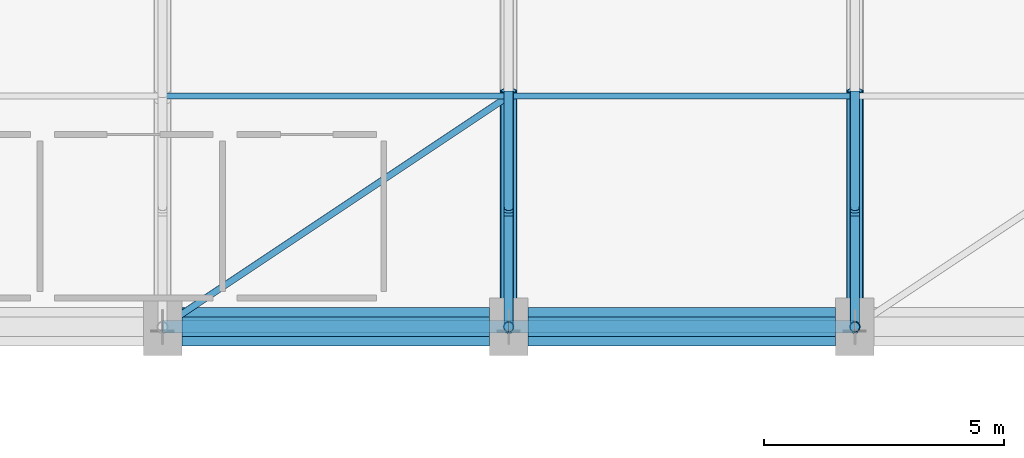
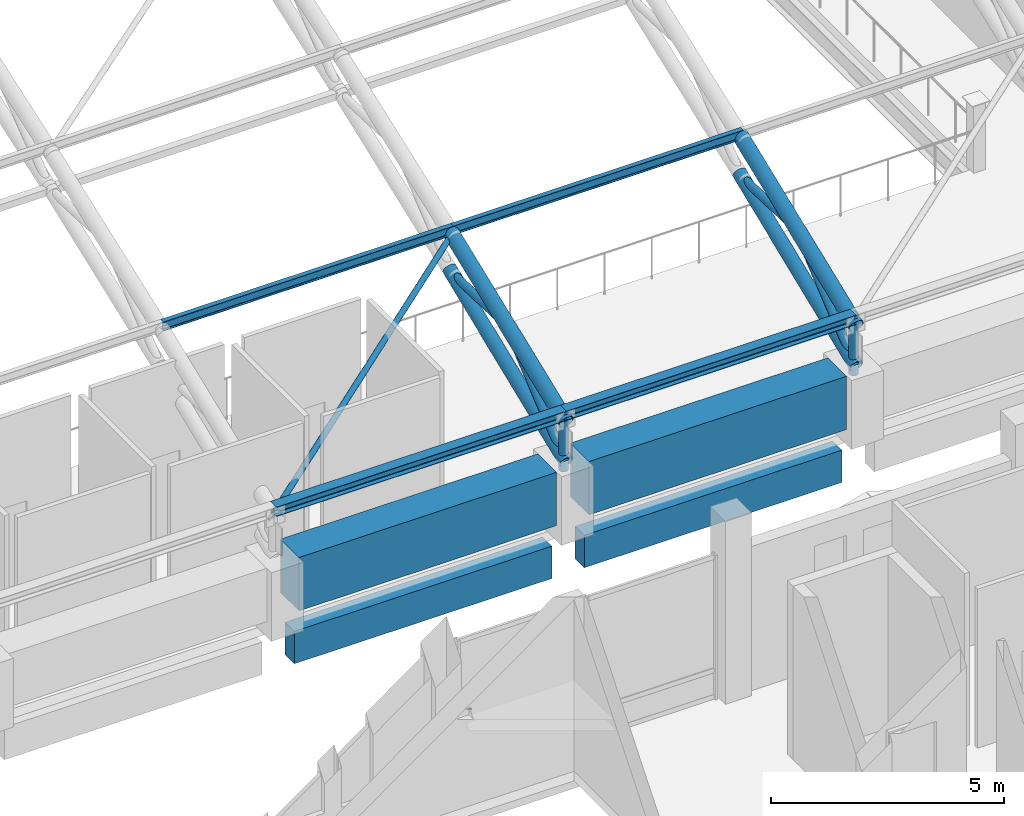
# One storey, part 35 of 116: 15 members, 4 beams.
"""IFC4 building model written with IfcOpenShell, lengths in metres."""

from ifc_helpers import new_model, si_unit, direction, frame, origin, origin_2d, place, context, subcontext, project, spatial, rectangle, hollow_circle, i_section, extrude, material, material_profile, profile_set, type_object, element, save


model = new_model("IFC4")

# Units and contexts
model_context = context("Model", 3, precision=1e-05, world=origin(), true_north=direction((0.0, 1.0)))
body_context = subcontext(model_context, "Body", "Model", "MODEL_VIEW")
ifc_project = project(units=[si_unit("LENGTHUNIT", "METRE"), si_unit("AREAUNIT", "SQUARE_METRE"), si_unit("VOLUMEUNIT", "CUBIC_METRE"), si_unit("PLANEANGLEUNIT", "RADIAN"), si_unit("MASSUNIT", "GRAM", prefix="KILO")], contexts=[model_context])

# Site, building, storey
site_placement = place(None, origin())
site = spatial("IfcSite", under=ifc_project, at=site_placement, CompositionType="ELEMENT")
building_placement = place(site_placement, origin())
building = spatial("IfcBuilding", under=site, at=building_placement, Name="Cendralis Lancet Convention Centre", CompositionType="ELEMENT")
storey_placement = place(building_placement, frame((0.0, 0.0, 15.0)))
storey = spatial("IfcBuildingStorey", under=building, at=storey_placement, Name="L03", CompositionType="ELEMENT", Elevation=15.0)

# Beams
ifc_material_1 = material(Name="Concrete G40 (C40/50)", Category="concrete")
ifc_material_profile_1 = material_profile(ifc_material_1, rectangle(XDim=0.800048828125, YDim=1.39990234375, at=origin_2d()), Name="RCB 800x1400")
ifc_profile_set_1 = profile_set([ifc_material_profile_1], Name="Concrete G40 (C40/50)")
beam_type_1 = type_object("IfcBeamType", Name="STR-BM-BG17", PredefinedType="BEAM", material=ifc_profile_set_1)
for number, where, z_axis, x_axis, name in (
    (1, (175.60009765625, 43.199951171875, 1.10009765625), (1.0, 0.0, 0.0), (0.0, 1.0, 0.0), "L03 Beam BG17 #1564"),
    (2, (182.800048828125, 43.199951171875, 1.10009765625), (1.0, 0.0, 0.0), (0.0, 1.0, 0.0), "L03 Beam BG17 #1565"),
):
    element("IfcBeam", number, at=place(storey_placement, frame(where, z_axis=z_axis, x_axis=x_axis)), inside=storey, type_object=beam_type_1, Name=name, PredefinedType="BEAM", context=body_context, shape_type="SweptSolid", body=[
        extrude(rectangle(XDim=0.800048828125, YDim=1.39990234375, at=origin_2d()), origin(), (0.0, 0.0, 1.0), 6.39990234375),
    ])

# Members
ifc_material_2 = material(Name="Steel S355", Category="steel")
ifc_material_profile_2 = material_profile(ifc_material_2, hollow_circle(Radius=0.06982421875, WallThickness=0.00634765625, at=origin_2d()), Name="CHS 139.7x6.3")
ifc_profile_set_2 = profile_set([ifc_material_profile_2], Name="Steel S355")
member_type_1 = type_object("IfcMemberType", Name="STR-BR-RB02", PredefinedType="BRACE", material=ifc_profile_set_2)
member_1_placement = place(storey_placement, frame((175.199951171875, 43.199951171875, 2.85009765625), z_axis=(0.812601866984, 0.541743762733, 0.214923012528), x_axis=(-0.554706707029, 0.832045953765, 0.0)))
element("IfcMember", 3, at=member_1_placement, inside=storey, type_object=member_type_1, Name="Roof Diaphragm Brace RB02 V2-05-00A", PredefinedType="BRACE", context=body_context, shape_type="SweptSolid", body=[
    extrude(hollow_circle(Radius=0.06982421875, WallThickness=0.00634765625, at=origin_2d()), origin(), (0.0, 0.0, 1.0), 8.8603515625),
])
ifc_material_profile_3 = material_profile(ifc_material_2, i_section(OverallWidth=0.1201171875, OverallDepth=0.239990234375, WebThickness=0.006103515625, FlangeThickness=0.009765625, FilletRadius=0.014892578125, at=origin_2d()), Name="IPE 240")
ifc_profile_set_3 = profile_set([ifc_material_profile_3], Name="Steel S355")
member_type_2 = type_object("IfcMemberType", Name="STR-PR-PR02", PredefinedType="PURLIN", material=ifc_profile_set_3)
member_2_placement = place(storey_placement, frame((175.199951171875, 48.0, 4.884521484375), z_axis=(1.0, 0.0, 0.0), x_axis=(0.0, 1.0, 0.0)))
element("IfcMember", 4, at=member_2_placement, inside=storey, type_object=member_type_2, Name="Vault Roof Purlin PR02 V2-05-01", PredefinedType="PURLIN", context=body_context, shape_type="SweptSolid", body=[
    extrude(i_section(OverallWidth=0.1201171875, OverallDepth=0.239990234375, WebThickness=0.006103515625, FlangeThickness=0.009765625, FilletRadius=0.014892578125, at=origin_2d()), origin(), (0.0, 0.0, 1.0), 7.199951171875),
])
member_3_placement = place(storey_placement, frame((182.39990234375, 48.0, 4.884521484375), z_axis=(1.0, 0.0, 0.0), x_axis=(0.0, 1.0, 0.0)))
element("IfcMember", 5, at=member_3_placement, inside=storey, type_object=member_type_2, Name="Vault Roof Purlin PR02 V2-06-01", PredefinedType="PURLIN", context=body_context, shape_type="SweptSolid", body=[
    extrude(i_section(OverallWidth=0.1201171875, OverallDepth=0.239990234375, WebThickness=0.006103515625, FlangeThickness=0.009765625, FilletRadius=0.014892578125, at=origin_2d()), origin(), (0.0, 0.0, 1.0), 7.2001953125),
])
ifc_material_profile_4 = material_profile(ifc_material_2, i_section(OverallWidth=0.260009765625, OverallDepth=0.25, WebThickness=0.007568359375, FlangeThickness=0.012451171875, FilletRadius=0.02392578125, at=origin_2d()), Name="HEA 260")
ifc_profile_set_4 = profile_set([ifc_material_profile_4], Name="Steel S355")
member_type_3 = type_object("IfcMemberType", Name="STR-PR-PR07", PredefinedType="PURLIN", material=ifc_profile_set_4)
member_4_placement = place(storey_placement, frame((175.199951171875, 43.199951171875, 2.97509765625), z_axis=(1.0, 0.0, 0.0), x_axis=(0.0, 1.0, 0.0)))
element("IfcMember", 6, at=member_4_placement, inside=storey, type_object=member_type_3, Name="Vault Roof Purlin PR07 V2-05-00", PredefinedType="PURLIN", context=body_context, shape_type="SweptSolid", body=[
    extrude(i_section(OverallWidth=0.260009765625, OverallDepth=0.25, WebThickness=0.007568359375, FlangeThickness=0.012451171875, FilletRadius=0.02392578125, at=origin_2d()), origin(), (0.0, 0.0, 1.0), 7.199951171875),
])
member_5_placement = place(storey_placement, frame((182.39990234375, 43.199951171875, 2.97509765625), z_axis=(1.0, 0.0, 0.0), x_axis=(0.0, 1.0, 0.0)))
element("IfcMember", 7, at=member_5_placement, inside=storey, type_object=member_type_3, Name="Vault Roof Purlin PR07 V2-06-00", PredefinedType="PURLIN", context=body_context, shape_type="SweptSolid", body=[
    extrude(i_section(OverallWidth=0.260009765625, OverallDepth=0.25, WebThickness=0.007568359375, FlangeThickness=0.012451171875, FilletRadius=0.02392578125, at=origin_2d()), origin(), (0.0, 0.0, 1.0), 7.2001953125),
])

# Beams
ifc_material_profile_5 = material_profile(ifc_material_1, rectangle(XDim=0.39990234375, YDim=0.85009765625, at=origin_2d()), Name="RCB 400x850")
ifc_profile_set_5 = profile_set([ifc_material_profile_5], Name="Concrete G40 (C40/50)")
beam_type_2 = type_object("IfcBeamType", Name="STR-SP-SP02", PredefinedType="SPANDREL", material=ifc_profile_set_5)
for number, where, z_axis, x_axis, name in (
    (8, (175.60009765625, 43.199951171875, -0.68505859375), (1.0, 0.0, 0.0), (0.0, 1.0, 0.0), "L03 Beam SP02 #1509"),
    (9, (182.800048828125, 43.199951171875, -0.68505859375), (1.0, 0.0, 0.0), (0.0, 1.0, 0.0), "L03 Beam SP02 #1510"),
):
    element("IfcBeam", number, at=place(storey_placement, frame(where, z_axis=z_axis, x_axis=x_axis)), inside=storey, type_object=beam_type_2, Name=name, PredefinedType="SPANDREL", context=body_context, shape_type="SweptSolid", body=[
        extrude(rectangle(XDim=0.39990234375, YDim=0.85009765625, at=origin_2d()), origin(), (0.0, 0.0, 1.0), 6.39990234375),
    ])

# Members
ifc_material_profile_6 = material_profile(ifc_material_2, hollow_circle(Radius=0.161865234375, WallThickness=0.01416015625, at=origin_2d()), Name="CHS 323.9x14.2")
ifc_profile_set_6 = profile_set([ifc_material_profile_6], Name="Steel S355")
member_type_4 = type_object("IfcMemberType", Name="STR-TR-BC02-INT", PredefinedType="CHORD", material=ifc_profile_set_6)
for number, where, z_axis, x_axis, name in (
    (10, (182.39990234375, 43.088623046875, 1.755126953125), (0.0, 0.927278249077, 0.374372874002), (-1.0, 0.0, 0.0), "ROOF TRUSS AT-V2-07 Bottom Chord 00"),
    (11, (189.60009765625, 43.088623046875, 1.755126953125), (0.0, 0.927278249077, 0.374372874002), (-1.0, 0.0, 0.0), "ROOF TRUSS AT-V2-08 Bottom Chord 00"),
):
    element("IfcMember", number, at=place(storey_placement, frame(where, z_axis=z_axis, x_axis=x_axis)), inside=storey, type_object=member_type_4, Name=name, PredefinedType="CHORD", context=body_context, shape_type="SweptSolid", body=[
        extrude(hollow_circle(Radius=0.161865234375, WallThickness=0.01416015625, at=origin_2d()), origin(), (0.0, 0.0, 1.0), 5.41650390625),
    ])
ifc_material_profile_7 = material_profile(ifc_material_2, hollow_circle(Radius=0.177734375, WallThickness=0.01611328125, at=origin_2d()), Name="CHS 355.6x16.0")
ifc_profile_set_7 = profile_set([ifc_material_profile_7], Name="Steel S355")
member_type_5 = type_object("IfcMemberType", Name="STR-TR-TC02-INT", PredefinedType="CHORD", material=ifc_profile_set_7)
for number, where, z_axis, x_axis, name in (
    (12, (182.39990234375, 43.08837890625, 2.8056640625), (0.0, 0.929501282069, 0.368818880525), (-1.0, 0.0, 0.0), "ROOF TRUSS AT-V2-07 Top Chord 00"),
    (13, (189.60009765625, 43.08837890625, 2.8056640625), (0.0, 0.929501282069, 0.368818880525), (-1.0, 0.0, 0.0), "ROOF TRUSS AT-V2-08 Top Chord 00"),
):
    element("IfcMember", number, at=place(storey_placement, frame(where, z_axis=z_axis, x_axis=x_axis)), inside=storey, type_object=member_type_5, Name=name, PredefinedType="CHORD", context=body_context, shape_type="SweptSolid", body=[
        extrude(hollow_circle(Radius=0.177734375, WallThickness=0.01611328125, at=origin_2d()), origin(), (0.0, 0.0, 1.0), 5.404296875),
    ])
ifc_material_profile_8 = material_profile(ifc_material_2, hollow_circle(Radius=0.096923828125, WallThickness=0.008056640625, at=origin_2d()), Name="CHS 193.7x8.0")
ifc_profile_set_8 = profile_set([ifc_material_profile_8], Name="Steel S355")
member_type_6 = type_object("IfcMemberType", Name="STR-TR-WD02-INT", PredefinedType="BRACE", material=ifc_profile_set_8)
member_6_placement = place(storey_placement, frame((182.39990234375, 43.123291015625, 1.73583984375), z_axis=(0.0, 0.767817962022, 0.640668070998), x_axis=(-1.0, 0.0, 0.0)))
element("IfcMember", 14, at=member_6_placement, inside=storey, type_object=member_type_6, Name="ROOF TRUSS AT-V2-07 Warren Web 00-0", PredefinedType="BRACE", context=body_context, shape_type="SweptSolid", body=[
    extrude(hollow_circle(Radius=0.096923828125, WallThickness=0.008056640625, at=origin_2d()), origin(), (0.0, 0.0, 1.0), 3.32568359375),
])
member_7_placement = place(storey_placement, frame((182.39990234375, 45.5, 3.804931640625), z_axis=(0.0, 0.999642128324, -0.026750986533), x_axis=(-1.0, 0.0, 0.0)))
element("IfcMember", 15, at=member_7_placement, inside=storey, type_object=member_type_6, Name="ROOF TRUSS AT-V2-07 Warren Web 00-1", PredefinedType="BRACE", context=body_context, shape_type="SweptSolid", body=[
    extrude(hollow_circle(Radius=0.096923828125, WallThickness=0.008056640625, at=origin_2d()), origin(), (0.0, 0.0, 1.0), 2.60107421875),
])
member_8_placement = place(storey_placement, frame((189.60009765625, 43.123291015625, 1.73583984375), z_axis=(0.0, 0.767817962022, 0.640668070998), x_axis=(-1.0, 0.0, 0.0)))
element("IfcMember", 16, at=member_8_placement, inside=storey, type_object=member_type_6, Name="ROOF TRUSS AT-V2-08 Warren Web 00-0", PredefinedType="BRACE", context=body_context, shape_type="SweptSolid", body=[
    extrude(hollow_circle(Radius=0.096923828125, WallThickness=0.008056640625, at=origin_2d()), origin(), (0.0, 0.0, 1.0), 3.32568359375),
])
member_9_placement = place(storey_placement, frame((189.60009765625, 45.5, 3.804931640625), z_axis=(0.0, 0.999642128324, -0.026750986533), x_axis=(-1.0, 0.0, 0.0)))
element("IfcMember", 17, at=member_9_placement, inside=storey, type_object=member_type_6, Name="ROOF TRUSS AT-V2-08 Warren Web 00-1", PredefinedType="BRACE", context=body_context, shape_type="SweptSolid", body=[
    extrude(hollow_circle(Radius=0.096923828125, WallThickness=0.008056640625, at=origin_2d()), origin(), (0.0, 0.0, 1.0), 2.60107421875),
])
ifc_material_profile_9 = material_profile(ifc_material_2, hollow_circle(Radius=0.109619140625, WallThickness=0.010009765625, at=origin_2d()), Name="CHS 219.1x10.0")
ifc_profile_set_9 = profile_set([ifc_material_profile_9], Name="Steel S355")
member_type_7 = type_object("IfcMemberType", Name="STR-TR-WV02-INT", PredefinedType="POST", material=ifc_profile_set_9)
for number, where, z_axis, x_axis, name in (
    (18, (182.39990234375, 43.199951171875, 1.5), (0.0, 0.0, 1.0), (1.0, 0.0, 0.0), "ROOF TRUSS AT-V2-07 Springing Post N00"),
    (19, (189.60009765625, 43.199951171875, 1.5), (0.0, 0.0, 1.0), (1.0, 0.0, 0.0), "ROOF TRUSS AT-V2-08 Springing Post N00"),
):
    element("IfcMember", number, at=place(storey_placement, frame(where, z_axis=z_axis, x_axis=x_axis)), inside=storey, type_object=member_type_7, Name=name, PredefinedType="POST", context=body_context, shape_type="SweptSolid", body=[
        extrude(hollow_circle(Radius=0.109619140625, WallThickness=0.010009765625, at=origin_2d()), origin(), (0.0, 0.0, 1.0), 1.570068359375),
    ])

save(model, "model.ifc")
